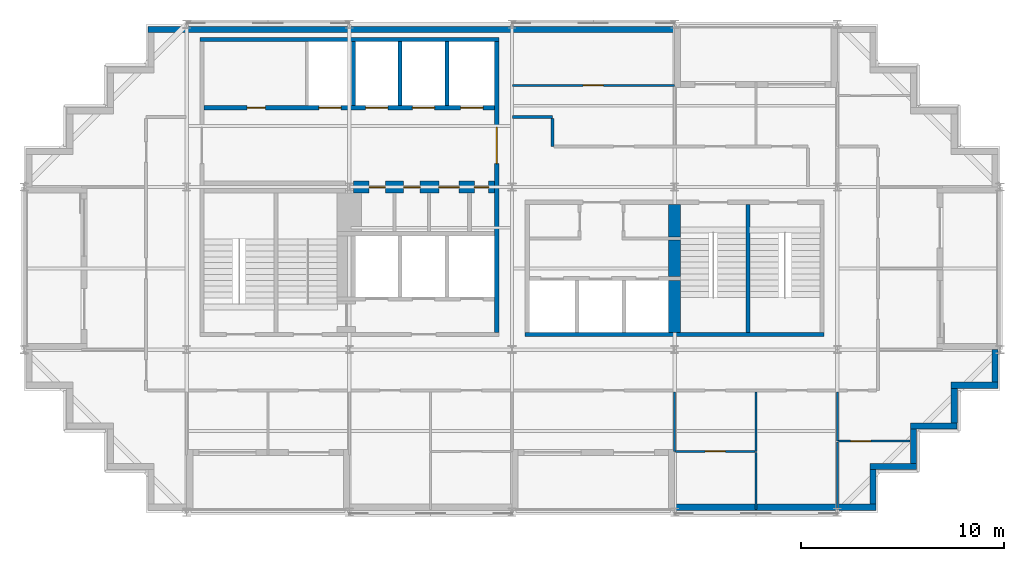
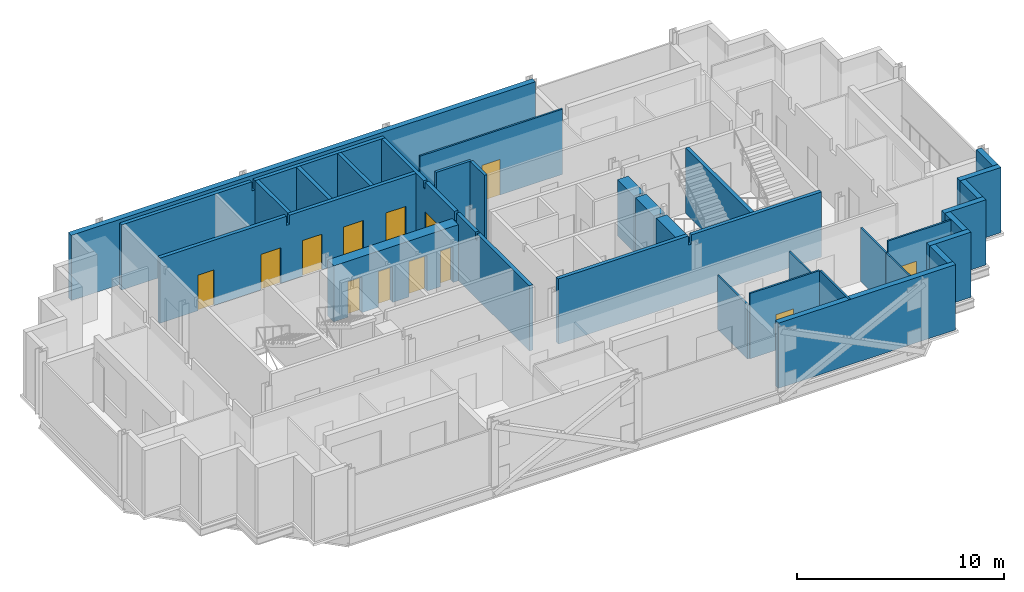
# One storey, part 6 of 9: 31 walls, 13 doors, 13 openings.
"""IFC4 building model written with IfcOpenShell, lengths in metres."""

from ifc_helpers import new_model, si_unit, direction, frame, frame_2d, origin, place, context, subcontext, project, spatial, polyline, rectangle, outline, extrude, material, layer, layer_set, type_object, element, fill, save


model = new_model("IFC4")

# Units and contexts
model_context = context("Model", 3, precision=1e-05, world=origin(), true_north=direction((0.0, 1.0)))
body_context = subcontext(model_context, "Body", "Model", "MODEL_VIEW")
ifc_project = project(units=[si_unit("LENGTHUNIT", "METRE"), si_unit("AREAUNIT", "SQUARE_METRE"), si_unit("VOLUMEUNIT", "CUBIC_METRE"), si_unit("PLANEANGLEUNIT", "RADIAN"), si_unit("MASSUNIT", "GRAM", prefix="KILO")], contexts=[model_context])

# Site, building, storey
site_placement = place(None, origin())
site = spatial("IfcSite", under=ifc_project, at=site_placement, CompositionType="ELEMENT")
building_placement = place(site_placement, origin())
building = spatial("IfcBuilding", under=site, at=building_placement, Name="Immortelle Media Tower", CompositionType="ELEMENT")
storey_placement = place(building_placement, frame((0.0, 0.0, 225.0)))
storey = spatial("IfcBuildingStorey", under=building, at=storey_placement, Name="L48", CompositionType="ELEMENT", Elevation=225.0)

# Wall, openings, doors
ifc_material_1 = material(Name="Fire-rated masonry blockwork", Category="masonry")
ifc_layer_1 = layer(ifc_material_1, 0.60009765625)
ifc_layer_set_1 = layer_set([ifc_layer_1], Name="Fire-rated masonry blockwork")
wall_type_1 = type_object("IfcWallType", Name="Core grid-line wall 600", PredefinedType="PARTITIONING", material=ifc_layer_set_1)
wall_1_placement = place(storey_placement, frame((16.196533203125, 16.0, 0.0), z_axis=(0.0, 0.0, 1.0), x_axis=(1.0, 0.0, 0.0)))
wall_1 = element("IfcWall", 1, at=wall_1_placement, inside=storey, type_object=wall_type_1, Name="Core grid-line wall SW", PredefinedType="PARTITIONING", context=body_context, shape_type="SweptSolid", body=[
    extrude(rectangle(XDim=6.953369140625, YDim=0.60009765625, at=frame_2d((3.4765625, 0.0))), origin(), (0.0, 0.0, 1.0), 3.30810546875),
])
opening_1_placement = place(wall_1_placement, frame((1.57861328125, 0.0, 0.0), z_axis=(0.0, 0.0, 1.0), x_axis=(-1.0, 0.0, 0.0)))
opening_1 = element("IfcOpeningElement", 2, at=opening_1_placement, cuts=wall_1, Name="Opening O5-K009", PredefinedType="OPENING", context=body_context, shape_type="SweptSolid", body=[
    extrude(rectangle(XDim=0.800048828125, YDim=2.10009765625, at=frame_2d((0.39990234375, 1.050048828125))), frame((0.0, 0.31005859375, 0.0), z_axis=(0.0, -1.0, 0.0), x_axis=(1.0, 0.0, 0.0)), (0.0, 0.0, 1.0), 0.6201171875),
])
opening_2_placement = place(wall_1_placement, frame((3.278564453125, 0.0, 0.0), z_axis=(0.0, 0.0, 1.0), x_axis=(-1.0, 0.0, 0.0)))
opening_2 = element("IfcOpeningElement", 3, at=opening_2_placement, cuts=wall_1, Name="Opening O5-K010", PredefinedType="OPENING", context=body_context, shape_type="SweptSolid", body=[
    extrude(rectangle(XDim=0.800048828125, YDim=2.10009765625, at=frame_2d((0.39990234375, 1.050048828125))), frame((0.0, 0.31005859375, 0.0), z_axis=(0.0, -1.0, 0.0), x_axis=(1.0, 0.0, 0.0)), (0.0, 0.0, 1.0), 0.6201171875),
])
opening_3_placement = place(wall_1_placement, frame((5.20361328125, 0.0, 0.0), z_axis=(0.0, 0.0, 1.0), x_axis=(-1.0, 0.0, 0.0)))
opening_3 = element("IfcOpeningElement", 4, at=opening_3_placement, cuts=wall_1, Name="Opening O5-K014", PredefinedType="OPENING", context=body_context, shape_type="SweptSolid", body=[
    extrude(rectangle(XDim=1.0, YDim=2.10009765625, at=frame_2d((0.5, 1.050048828125))), frame((0.0, 0.31005859375, 0.0), z_axis=(0.0, -1.0, 0.0), x_axis=(1.0, 0.0, 0.0)), (0.0, 0.0, 1.0), 0.6201171875),
])
opening_4_placement = place(wall_1_placement, frame((6.653564453125, 0.0, 0.0), z_axis=(0.0, 0.0, 1.0), x_axis=(-1.0, 0.0, 0.0)))
opening_4 = element("IfcOpeningElement", 5, at=opening_4_placement, cuts=wall_1, Name="Opening O5-K017", PredefinedType="OPENING", context=body_context, shape_type="SweptSolid", body=[
    extrude(rectangle(XDim=0.699951171875, YDim=2.10009765625, at=frame_2d((0.35009765625, 1.050048828125))), frame((0.0, 0.31005859375, 0.0), z_axis=(0.0, -1.0, 0.0), x_axis=(1.0, 0.0, 0.0)), (0.0, 0.0, 1.0), 0.6201171875),
])
ifc_material_2 = material(Name="Timber", Category="wood")
door_type_1 = type_object("IfcDoorType", Name="Accessible toilet door 1000 x 2100", OperationType="NOTDEFINED", PredefinedType="NOTDEFINED", material=ifc_material_2)
door_1_placement = place(opening_3_placement, origin())
door_1 = element("IfcDoor", 6, at=door_1_placement, inside=storey, type_object=door_type_1, Name="Accessible toilet O5-K014", OperationType="SINGLE_SWING_LEFT", OverallHeight=2.10009765625, OverallWidth=1.0, PredefinedType="NOTDEFINED", context=body_context, shape_type="SweptSolid", body=[
    extrude(rectangle(XDim=1.0, YDim=2.10009765625, at=frame_2d((0.5, 1.050048828125))), frame((0.0, 0.02490234375, 0.0), z_axis=(0.0, -1.0, 0.0), x_axis=(1.0, 0.0, 0.0)), (0.0, 0.0, 1.0), 0.050048828125),
])
fill(opening_3, door_1)
ifc_material_3 = material(Name="Galvanised steel door leaf and frame ASTM A653", Category="steel")
door_type_2 = type_object("IfcDoorType", Name="Service door 700 x 2100", OperationType="NOTDEFINED", PredefinedType="NOTDEFINED", material=ifc_material_3)
door_2_placement = place(opening_4_placement, origin())
door_2 = element("IfcDoor", 7, at=door_2_placement, inside=storey, type_object=door_type_2, Name="Service O5-K017", OperationType="SINGLE_SWING_RIGHT", OverallHeight=2.10009765625, OverallWidth=0.699951171875, PredefinedType="NOTDEFINED", context=body_context, shape_type="SweptSolid", body=[
    extrude(rectangle(XDim=0.699951171875, YDim=2.10009765625, at=frame_2d((0.35009765625, 1.050048828125))), frame((0.0, 0.02490234375, 0.0), z_axis=(0.0, -1.0, 0.0), x_axis=(1.0, 0.0, 0.0)), (0.0, 0.0, 1.0), 0.050048828125),
])
fill(opening_4, door_2)
door_type_3 = type_object("IfcDoorType", Name="Toilet door 800 x 2100", OperationType="NOTDEFINED", PredefinedType="NOTDEFINED", material=ifc_material_2)
door_3_placement = place(opening_1_placement, origin())
door_3 = element("IfcDoor", 8, at=door_3_placement, inside=storey, type_object=door_type_3, Name="Toilet O5-K009", OperationType="SINGLE_SWING_LEFT", OverallHeight=2.10009765625, OverallWidth=0.800048828125, PredefinedType="NOTDEFINED", context=body_context, shape_type="SweptSolid", body=[
    extrude(rectangle(XDim=0.800048828125, YDim=2.10009765625, at=frame_2d((0.39990234375, 1.050048828125))), frame((0.0, 0.02490234375, 0.0), z_axis=(0.0, -1.0, 0.0), x_axis=(1.0, 0.0, 0.0)), (0.0, 0.0, 1.0), 0.050048828125),
])
fill(opening_1, door_3)
door_4_placement = place(opening_2_placement, origin())
door_4 = element("IfcDoor", 9, at=door_4_placement, inside=storey, type_object=door_type_3, Name="Toilet O5-K010", OperationType="SINGLE_SWING_RIGHT", OverallHeight=2.10009765625, OverallWidth=0.800048828125, PredefinedType="NOTDEFINED", context=body_context, shape_type="SweptSolid", body=[
    extrude(rectangle(XDim=0.800048828125, YDim=2.10009765625, at=frame_2d((0.39990234375, 1.050048828125))), frame((0.0, 0.02490234375, 0.0), z_axis=(0.0, -1.0, 0.0), x_axis=(1.0, 0.0, 0.0)), (0.0, 0.0, 1.0), 0.050048828125),
])
fill(opening_2, door_4)

# Wall
ifc_material_4 = material(Name="Fire-rated gypsum board", Category="gypsum")
ifc_layer_2 = layer(ifc_material_4, 0.03759765625)
ifc_material_5 = material(Name="Steel ASTM A653 SS Gr 50 stud frame with mineral wool", Category="steel")
ifc_layer_3 = layer(ifc_material_5, 0.125)
ifc_layer_4 = layer(ifc_material_4, 0.03759765625)
ifc_layer_set_2 = layer_set([ifc_layer_2, ifc_layer_3, ifc_layer_4], Name="Steel ASTM A653 SS Gr 50 stud frame with mineral wool")
wall_type_2 = type_object("IfcWallType", Name="Core shaft wall 200", PredefinedType="PARTITIONING", material=ifc_layer_set_2)
wall_2_placement = place(storey_placement, frame((8.64990234375, 23.25, 0.0), z_axis=(0.0, 0.0, 1.0), x_axis=(1.0, 0.0, 0.0)))
element("IfcWall", 10, at=wall_2_placement, inside=storey, type_object=wall_type_2, Name="Core shaft wall SW", PredefinedType="PARTITIONING", context=body_context, shape_type="SweptSolid", body=[
    extrude(outline(polyline([(0.0, 0.0), (14.7001953125, 0.0), (14.699951171875, 3.85009765625), (7.4384765625, 3.85009765625), (7.4375, 3.30810546875), (7.262451171875, 3.30810546875), (7.261474609375, 3.85009765625), (0.0, 3.85009765625), (0.0, 0.0)])), frame((0.0, 0.10009765625, 0.0), z_axis=(0.0, -1.0, 0.0), x_axis=(1.0, 0.0, 0.0)), (0.0, 0.0, 1.0), 0.199951171875),
])

# Wall, openings, doors
wall_3_placement = place(storey_placement, frame((8.85009765625, 19.89990234375, 0.0), z_axis=(0.0, 0.0, 1.0), x_axis=(1.0, 0.0, 0.0)))
wall_3 = element("IfcWall", 11, at=wall_3_placement, inside=storey, type_object=wall_type_2, Name="Core shaft wall SW", PredefinedType="PARTITIONING", context=body_context, shape_type="SweptSolid", body=[
    extrude(outline(polyline([(0.0, 0.0), (14.2998046875, 0.0), (14.300048828125, 3.85009765625), (7.238525390625, 3.85009765625), (7.237548828125, 3.30810546875), (7.0625, 3.30810546875), (7.0615234375, 3.85009765625), (0.0, 3.85009765625), (0.0, 0.0)])), frame((0.0, 0.10009765625, 0.0), z_axis=(0.0, -1.0, 0.0), x_axis=(1.0, 0.0, 0.0)), (0.0, 0.0, 1.0), 0.199951171875),
])
opening_5_placement = place(wall_3_placement, frame((2.125, 0.0, 0.0)))
opening_5 = element("IfcOpeningElement", 12, at=opening_5_placement, cuts=wall_3, Name="Opening O5-K003", PredefinedType="OPENING", context=body_context, shape_type="SweptSolid", body=[
    extrude(rectangle(XDim=0.89990234375, YDim=2.10009765625, at=frame_2d((0.449951171875, 1.050048828125))), frame((0.0, 0.10986328125, 0.0), z_axis=(0.0, -1.0, 0.0), x_axis=(1.0, 0.0, 0.0)), (0.0, 0.0, 1.0), 0.219970703125),
])
opening_6_placement = place(wall_3_placement, frame((5.64990234375, 0.0, 0.0)))
opening_6 = element("IfcOpeningElement", 13, at=opening_6_placement, cuts=wall_3, Name="Opening LD", PredefinedType="OPENING", context=body_context, shape_type="SweptSolid", body=[
    extrude(rectangle(XDim=1.10009765625, YDim=2.10009765625, at=frame_2d((0.550048828125, 1.050048828125))), frame((0.0, 0.10986328125, 0.0), z_axis=(0.0, -1.0, 0.0), x_axis=(1.0, 0.0, 0.0)), (0.0, 0.0, 1.0), 0.219970703125),
])
opening_7_placement = place(wall_3_placement, frame((7.949951171875, 0.0, 0.0)))
opening_7 = element("IfcOpeningElement", 14, at=opening_7_placement, cuts=wall_3, Name="Opening LD", PredefinedType="OPENING", context=body_context, shape_type="SweptSolid", body=[
    extrude(rectangle(XDim=1.10009765625, YDim=2.10009765625, at=frame_2d((0.550048828125, 1.050048828125))), frame((0.0, 0.10986328125, 0.0), z_axis=(0.0, -1.0, 0.0), x_axis=(1.0, 0.0, 0.0)), (0.0, 0.0, 1.0), 0.219970703125),
])
opening_8_placement = place(wall_3_placement, frame((10.25, 0.0, 0.0)))
opening_8 = element("IfcOpeningElement", 15, at=opening_8_placement, cuts=wall_3, Name="Opening LD", PredefinedType="OPENING", context=body_context, shape_type="SweptSolid", body=[
    extrude(rectangle(XDim=1.10009765625, YDim=2.10009765625, at=frame_2d((0.550048828125, 1.050048828125))), frame((0.0, 0.10986328125, 0.0), z_axis=(0.0, -1.0, 0.0), x_axis=(1.0, 0.0, 0.0)), (0.0, 0.0, 1.0), 0.219970703125),
])
opening_9_placement = place(wall_3_placement, frame((12.625, 0.0, 0.0)))
opening_9 = element("IfcOpeningElement", 16, at=opening_9_placement, cuts=wall_3, Name="Opening LD", PredefinedType="OPENING", context=body_context, shape_type="SweptSolid", body=[
    extrude(rectangle(XDim=1.10009765625, YDim=2.10009765625, at=frame_2d((0.550048828125, 1.050048828125))), frame((0.0, 0.10986328125, 0.0), z_axis=(0.0, -1.0, 0.0), x_axis=(1.0, 0.0, 0.0)), (0.0, 0.0, 1.0), 0.219970703125),
])
ifc_material_6 = material(Name="Stainless steel AISI 304", Category="steel")
door_type_4 = type_object("IfcDoorType", Name="Landing door 1100 x 2100", OperationType="SLIDING_TO_LEFT", PredefinedType="NOTDEFINED", material=ifc_material_6)
door_5_placement = place(opening_6_placement, origin())
door_5 = element("IfcDoor", 17, at=door_5_placement, inside=storey, type_object=door_type_4, Name="Landing door HR1 L48", OperationType="SLIDING_TO_LEFT", OverallHeight=2.10009765625, OverallWidth=1.10009765625, PredefinedType="NOTDEFINED", context=body_context, shape_type="SweptSolid", body=[
    extrude(rectangle(XDim=1.10009765625, YDim=2.10009765625, at=frame_2d((0.550048828125, 1.050048828125))), frame((0.0, 0.02490234375, 0.0), z_axis=(0.0, -1.0, 0.0), x_axis=(1.0, 0.0, 0.0)), (0.0, 0.0, 1.0), 0.050048828125),
])
fill(opening_6, door_5)
door_6_placement = place(opening_7_placement, origin())
door_6 = element("IfcDoor", 18, at=door_6_placement, inside=storey, type_object=door_type_4, Name="Landing door HR2 L48", OperationType="SLIDING_TO_LEFT", OverallHeight=2.10009765625, OverallWidth=1.10009765625, PredefinedType="NOTDEFINED", context=body_context, shape_type="SweptSolid", body=[
    extrude(rectangle(XDim=1.10009765625, YDim=2.10009765625, at=frame_2d((0.550048828125, 1.050048828125))), frame((0.0, 0.02490234375, 0.0), z_axis=(0.0, -1.0, 0.0), x_axis=(1.0, 0.0, 0.0)), (0.0, 0.0, 1.0), 0.050048828125),
])
fill(opening_7, door_6)
door_7_placement = place(opening_8_placement, origin())
door_7 = element("IfcDoor", 19, at=door_7_placement, inside=storey, type_object=door_type_4, Name="Landing door HR3 L48", OperationType="SLIDING_TO_LEFT", OverallHeight=2.10009765625, OverallWidth=1.10009765625, PredefinedType="NOTDEFINED", context=body_context, shape_type="SweptSolid", body=[
    extrude(rectangle(XDim=1.10009765625, YDim=2.10009765625, at=frame_2d((0.550048828125, 1.050048828125))), frame((0.0, 0.02490234375, 0.0), z_axis=(0.0, -1.0, 0.0), x_axis=(1.0, 0.0, 0.0)), (0.0, 0.0, 1.0), 0.050048828125),
])
fill(opening_8, door_7)
door_8_placement = place(opening_9_placement, origin())
door_8 = element("IfcDoor", 20, at=door_8_placement, inside=storey, type_object=door_type_4, Name="Landing door HR4 L48", OperationType="SLIDING_TO_LEFT", OverallHeight=2.10009765625, OverallWidth=1.10009765625, PredefinedType="NOTDEFINED", context=body_context, shape_type="SweptSolid", body=[
    extrude(rectangle(XDim=1.10009765625, YDim=2.10009765625, at=frame_2d((0.550048828125, 1.050048828125))), frame((0.0, 0.02490234375, 0.0), z_axis=(0.0, -1.0, 0.0), x_axis=(1.0, 0.0, 0.0)), (0.0, 0.0, 1.0), 0.050048828125),
])
fill(opening_9, door_8)
door_type_5 = type_object("IfcDoorType", Name="Room door 900 x 2100", OperationType="NOTDEFINED", PredefinedType="NOTDEFINED", material=ifc_material_2)
door_9_placement = place(opening_5_placement, origin())
door_9 = element("IfcDoor", 21, at=door_9_placement, inside=storey, type_object=door_type_5, Name="Room O5-K003", OperationType="SINGLE_SWING_LEFT", OverallHeight=2.10009765625, OverallWidth=0.89990234375, PredefinedType="NOTDEFINED", context=body_context, shape_type="SweptSolid", body=[
    extrude(rectangle(XDim=0.89990234375, YDim=2.10009765625, at=frame_2d((0.449951171875, 1.050048828125))), frame((0.0, 0.02490234375, 0.0), z_axis=(0.0, -1.0, 0.0), x_axis=(1.0, 0.0, 0.0)), (0.0, 0.0, 1.0), 0.050048828125),
])
fill(opening_5, door_9)

# Walls
for number, where, z_axis, x_axis, name in (
    (22, (16.199951171875, 20.0, 0.0), (0.0, 0.0, 1.0), (0.0, 1.0, 0.0), "Core shaft wall SW"),
    (23, (18.5, 20.0, 0.0), (0.0, 0.0, 1.0), (0.0, 1.0, 0.0), "Core shaft wall SW"),
    (24, (20.800048828125, 20.0, 0.0), (0.0, 0.0, 1.0), (0.0, 1.0, 0.0), "Core shaft wall SW"),
):
    element("IfcWall", number, at=place(storey_placement, frame(where, z_axis=z_axis, x_axis=x_axis)), inside=storey, type_object=wall_type_2, Name=name, PredefinedType="PARTITIONING", context=body_context, shape_type="SweptSolid", body=[
        extrude(rectangle(XDim=3.14990234375, YDim=0.199951171875, at=frame_2d((1.574951171875, 0.0))), origin(), (0.0, 0.0, 1.0), 3.85009765625),
    ])

# Wall, opening, door
wall_4_placement = place(storey_placement, frame((23.25, 8.85009765625, 0.0), z_axis=(0.0, 0.0, 1.0), x_axis=(0.0, 1.0, 0.0)))
wall_4 = element("IfcWall", 25, at=wall_4_placement, inside=storey, type_object=wall_type_2, Name="Core shaft wall SW", PredefinedType="PARTITIONING", context=body_context, shape_type="SweptSolid", body=[
    extrude(outline(polyline([(0.0, 0.0), (14.2998046875, 0.0), (14.300048828125, 3.85009765625), (10.22509765625, 3.85009765625), (10.22412109375, 3.43994140625), (10.075927734375, 3.43994140625), (10.074951171875, 3.85009765625), (7.238525390625, 3.85009765625), (7.237548828125, 3.30810546875), (7.0625, 3.30810546875), (7.0615234375, 3.85009765625), (5.22509765625, 3.85009765625), (5.22412109375, 3.43994140625), (5.075927734375, 3.43994140625), (5.074951171875, 3.85009765625), (0.0, 3.85009765625), (0.0, 0.0)])), frame((0.0, 0.10009765625, 0.0), z_axis=(0.0, -1.0, 0.0), x_axis=(1.0, 0.0, 0.0)), (0.0, 0.0, 1.0), 0.199951171875),
])
opening_10_placement = place(wall_4_placement, frame((8.300048828125, 0.0, 0.0)))
opening_10 = element("IfcOpeningElement", 26, at=opening_10_placement, cuts=wall_4, Name="Opening O5-K018", PredefinedType="OPENING", context=body_context, shape_type="SweptSolid", body=[
    extrude(rectangle(XDim=1.800048828125, YDim=2.10009765625, at=frame_2d((0.89990234375, 1.050048828125))), frame((0.0, 0.10986328125, 0.0), z_axis=(0.0, -1.0, 0.0), x_axis=(1.0, 0.0, 0.0)), (0.0, 0.0, 1.0), 0.219970703125),
])
door_type_6 = type_object("IfcDoorType", Name="Lift lobby door 1800 x 2100", OperationType="DOUBLE_DOOR_SINGLE_SWING", PredefinedType="NOTDEFINED", material=ifc_material_3)
door_10_placement = place(opening_10_placement, origin())
door_10 = element("IfcDoor", 27, at=door_10_placement, inside=storey, type_object=door_type_6, Name="Lift lobby O5-K018", OperationType="DOUBLE_DOOR_SINGLE_SWING", OverallHeight=2.10009765625, OverallWidth=1.800048828125, PredefinedType="NOTDEFINED", context=body_context, shape_type="SweptSolid", body=[
    extrude(rectangle(XDim=1.800048828125, YDim=2.10009765625, at=frame_2d((0.89990234375, 1.050048828125))), frame((0.0, 0.02490234375, 0.0), z_axis=(0.0, -1.0, 0.0), x_axis=(1.0, 0.0, 0.0)), (0.0, 0.0, 1.0), 0.050048828125),
])
fill(opening_10, door_10)

# Walls
ifc_layer_5 = layer(ifc_material_4, 0.012451171875)
ifc_layer_6 = layer(ifc_material_5, 0.125)
ifc_layer_7 = layer(ifc_material_4, 0.012451171875)
ifc_layer_set_3 = layer_set([ifc_layer_5, ifc_layer_6, ifc_layer_7], Name="Steel ASTM A653 SS Gr 50 stud frame with mineral wool")
wall_type_3 = type_object("IfcWallType", Name="Corridor wall 150", PredefinedType="PARTITIONING", material=ifc_layer_set_3)
wall_5_placement = place(storey_placement, frame((26.0, 18.0, 0.0), z_axis=(0.0, 0.0, 1.0), x_axis=(0.0, 1.0, 0.0)))
element("IfcWall", 28, at=wall_5_placement, inside=storey, type_object=wall_type_3, Name="Partition L48-026", PredefinedType="PARTITIONING", context=body_context, shape_type="SweptSolid", body=[
    extrude(rectangle(XDim=1.375, YDim=0.14990234375, at=frame_2d((0.6875, 0.0))), origin(), (0.0, 0.0, 1.0), 3.85009765625),
])
wall_6_placement = place(storey_placement, frame((24.030029296875, 19.449951171875, 0.0), z_axis=(0.0, 0.0, 1.0), x_axis=(1.0, 0.0, 0.0)))
element("IfcWall", 29, at=wall_6_placement, inside=storey, type_object=wall_type_3, Name="Partition L48-032", PredefinedType="PARTITIONING", context=body_context, shape_type="SweptSolid", body=[
    extrude(rectangle(XDim=1.969970703125, YDim=0.14990234375, at=frame_2d((0.98486328125, 0.0))), origin(), (0.0, 0.0, 1.0), 3.85009765625),
])
ifc_material_7 = material(Name="Pale aluminium cladding panel", Category="aluminium")
ifc_layer_8 = layer(ifc_material_7, 0.030029296875)
ifc_layer_9 = layer(ifc_material_5, 0.257568359375)
ifc_material_8 = material(Name="Moisture-resistant gypsum board", Category="gypsum")
ifc_layer_10 = layer(ifc_material_8, 0.012451171875)
ifc_layer_set_4 = layer_set([ifc_layer_8, ifc_layer_9, ifc_layer_10], Name="Steel ASTM A653 SS Gr 50 stud frame with mineral wool")
wall_type_4 = type_object("IfcWallType", Name="Facade wall 300", PredefinedType="SOLIDWALL", material=ifc_layer_set_4)
wall_7_placement = place(storey_placement, frame((32.0, 0.25, 0.0), z_axis=(0.0, 0.0, 1.0), x_axis=(1.0, 0.0, 0.0)))
element("IfcWall", 30, at=wall_7_placement, inside=storey, type_object=wall_type_4, Name="Facade wall L48 S6", PredefinedType="SOLIDWALL", context=body_context, shape_type="SweptSolid", body=[
    extrude(rectangle(XDim=9.89990234375, YDim=0.300048828125, at=frame_2d((4.949951171875, 0.0))), origin(), (0.0, 0.0, 1.0), 3.85009765625),
])
wall_8_placement = place(storey_placement, frame((41.75, 0.39990234375, 0.0), z_axis=(0.0, 0.0, 1.0), x_axis=(0.0, 1.0, 0.0)))
element("IfcWall", 31, at=wall_8_placement, inside=storey, type_object=wall_type_4, Name="Facade wall L48 E7", PredefinedType="SOLIDWALL", context=body_context, shape_type="SweptSolid", body=[
    extrude(rectangle(XDim=1.7001953125, YDim=0.300048828125, at=frame_2d((0.85009765625, 0.0))), origin(), (0.0, 0.0, 1.0), 3.85009765625),
])
wall_9_placement = place(storey_placement, frame((41.60009765625, 2.25, 0.0), z_axis=(0.0, 0.0, 1.0), x_axis=(1.0, 0.0, 0.0)))
element("IfcWall", 32, at=wall_9_placement, inside=storey, type_object=wall_type_4, Name="Facade wall L48 S8", PredefinedType="SOLIDWALL", context=body_context, shape_type="SweptSolid", body=[
    extrude(rectangle(XDim=2.2998046875, YDim=0.300048828125, at=frame_2d((1.14990234375, 0.0))), origin(), (0.0, 0.0, 1.0), 3.85009765625),
])
wall_10_placement = place(storey_placement, frame((43.75, 2.39990234375, 0.0), z_axis=(0.0, 0.0, 1.0), x_axis=(0.0, 1.0, 0.0)))
element("IfcWall", 33, at=wall_10_placement, inside=storey, type_object=wall_type_4, Name="Facade wall L48 E9", PredefinedType="SOLIDWALL", context=body_context, shape_type="SweptSolid", body=[
    extrude(rectangle(XDim=1.7001953125, YDim=0.300048828125, at=frame_2d((0.85009765625, 0.0))), origin(), (0.0, 0.0, 1.0), 3.85009765625),
])
wall_11_placement = place(storey_placement, frame((43.60009765625, 4.25, 0.0), z_axis=(0.0, 0.0, 1.0), x_axis=(1.0, 0.0, 0.0)))
element("IfcWall", 34, at=wall_11_placement, inside=storey, type_object=wall_type_4, Name="Facade wall L48 S10", PredefinedType="SOLIDWALL", context=body_context, shape_type="SweptSolid", body=[
    extrude(rectangle(XDim=2.2998046875, YDim=0.300048828125, at=frame_2d((1.14990234375, 0.0))), origin(), (0.0, 0.0, 1.0), 3.85009765625),
])
wall_12_placement = place(storey_placement, frame((45.75, 4.39990234375, 0.0), z_axis=(0.0, 0.0, 1.0), x_axis=(0.0, 1.0, 0.0)))
element("IfcWall", 35, at=wall_12_placement, inside=storey, type_object=wall_type_4, Name="Facade wall L48 E11", PredefinedType="SOLIDWALL", context=body_context, shape_type="SweptSolid", body=[
    extrude(rectangle(XDim=1.7001953125, YDim=0.300048828125, at=frame_2d((0.85009765625, 0.0))), origin(), (0.0, 0.0, 1.0), 3.85009765625),
])
wall_13_placement = place(storey_placement, frame((45.60009765625, 6.25, 0.0), z_axis=(0.0, 0.0, 1.0), x_axis=(1.0, 0.0, 0.0)))
element("IfcWall", 36, at=wall_13_placement, inside=storey, type_object=wall_type_4, Name="Facade wall L48 S12", PredefinedType="SOLIDWALL", context=body_context, shape_type="SweptSolid", body=[
    extrude(rectangle(XDim=2.2998046875, YDim=0.300048828125, at=frame_2d((1.14990234375, 0.0))), origin(), (0.0, 0.0, 1.0), 3.85009765625),
])
wall_14_placement = place(storey_placement, frame((47.75, 6.39990234375, 0.0), z_axis=(0.0, 0.0, 1.0), x_axis=(0.0, 1.0, 0.0)))
element("IfcWall", 37, at=wall_14_placement, inside=storey, type_object=wall_type_4, Name="Facade wall L48 E13", PredefinedType="SOLIDWALL", context=body_context, shape_type="SweptSolid", body=[
    extrude(rectangle(XDim=1.60009765625, YDim=0.300048828125, at=frame_2d((0.800048828125, 0.0))), origin(), (0.0, 0.0, 1.0), 3.85009765625),
])
wall_15_placement = place(storey_placement, frame((32.0, 23.75, 0.0), z_axis=(0.0, 0.0, 1.0), x_axis=(-1.0, 0.0, 0.0)))
element("IfcWall", 38, at=wall_15_placement, inside=storey, type_object=wall_type_4, Name="Facade wall L48 N20", PredefinedType="SOLIDWALL", context=body_context, shape_type="SweptSolid", body=[
    extrude(rectangle(XDim=25.89990234375, YDim=0.300048828125, at=frame_2d((12.949951171875, 0.0))), origin(), (0.0, 0.0, 1.0), 3.85009765625),
])
ifc_material_9 = material(Name="Gypsum board", Category="gypsum")
ifc_layer_11 = layer(ifc_material_9, 0.012451171875)
ifc_layer_12 = layer(ifc_material_5, 0.074951171875)
ifc_layer_13 = layer(ifc_material_9, 0.012451171875)
ifc_layer_set_5 = layer_set([ifc_layer_11, ifc_layer_12, ifc_layer_13], Name="Steel ASTM A653 SS Gr 50 stud frame with mineral wool")
wall_type_5 = type_object("IfcWallType", Name="Partition 100", PredefinedType="PARTITIONING", material=ifc_layer_set_5)
wall_16_placement = place(storey_placement, frame((36.0, 0.1298828125, 0.0), z_axis=(0.0, 0.0, 1.0), x_axis=(0.0, 1.0, 0.0)))
element("IfcWall", 39, at=wall_16_placement, inside=storey, type_object=wall_type_5, Name="Partition L48-002", PredefinedType="PARTITIONING", context=body_context, shape_type="SweptSolid", body=[
    extrude(rectangle(XDim=2.820068359375, YDim=0.10009765625, at=frame_2d((1.41015625, 0.0))), origin(), (0.0, 0.0, 1.0), 3.85009765625),
])
wall_17_placement = place(storey_placement, frame((40.0, 0.1298828125, 0.0), z_axis=(0.0, 0.0, 1.0), x_axis=(0.0, 1.0, 0.0)))
element("IfcWall", 40, at=wall_17_placement, inside=storey, type_object=wall_type_5, Name="Partition L48-003", PredefinedType="PARTITIONING", context=body_context, shape_type="SweptSolid", body=[
    extrude(rectangle(XDim=3.320068359375, YDim=0.10009765625, at=frame_2d((1.66015625, 0.0))), origin(), (0.0, 0.0, 1.0), 3.172119140625),
])

# Wall, opening, door
wall_18_placement = place(storey_placement, frame((32.050048828125, 3.0, 0.0), z_axis=(0.0, 0.0, 1.0), x_axis=(1.0, 0.0, 0.0)))
wall_18 = element("IfcWall", 41, at=wall_18_placement, inside=storey, type_object=wall_type_5, Name="Partition L48-010", PredefinedType="PARTITIONING", context=body_context, shape_type="SweptSolid", body=[
    extrude(rectangle(XDim=3.89990234375, YDim=0.10009765625, at=frame_2d((1.949951171875, 0.0))), origin(), (0.0, 0.0, 1.0), 3.85009765625),
])
opening_11_placement = place(wall_18_placement, frame((2.449951171875, 0.0, 0.0), z_axis=(0.0, 0.0, 1.0), x_axis=(-1.0, 0.0, 0.0)))
opening_11 = element("IfcOpeningElement", 42, at=opening_11_placement, cuts=wall_18, Name="Opening O5-F005", PredefinedType="OPENING", context=body_context, shape_type="SweptSolid", body=[
    extrude(rectangle(XDim=1.0, YDim=2.10009765625, at=frame_2d((0.5, 1.050048828125))), frame((0.0, 0.06005859375, 0.0), z_axis=(0.0, -1.0, 0.0), x_axis=(1.0, 0.0, 0.0)), (0.0, 0.0, 1.0), 0.1201171875),
])
ifc_material_10 = material(Name="Timber veneered door leaf, galvanised steel frame ASTM A653", Category="steel")
door_type_7 = type_object("IfcDoorType", Name="Room door 1000 x 2100", OperationType="NOTDEFINED", PredefinedType="DOOR", material=ifc_material_10)
door_11_placement = place(opening_11_placement, origin())
door_11 = element("IfcDoor", 43, at=door_11_placement, inside=storey, type_object=door_type_7, Name="Door O5-F005", OperationType="SINGLE_SWING_LEFT", OverallHeight=2.10009765625, OverallWidth=1.0, PredefinedType="DOOR", context=body_context, shape_type="SweptSolid", body=[
    extrude(rectangle(XDim=1.0, YDim=2.10009765625, at=frame_2d((0.5, 1.050048828125))), frame((0.0, 0.02490234375, 0.0), z_axis=(0.0, -1.0, 0.0), x_axis=(1.0, 0.0, 0.0)), (0.0, 0.0, 1.0), 0.050048828125),
])
fill(opening_11, door_11)

# Walls
for number, where, z_axis, x_axis, name in (
    (44, (32.0, 3.0, 0.0), (0.0, 0.0, 1.0), (0.0, 1.0, 0.0), "Partition L48-011"),
    (45, (36.0, 3.0, 0.0), (0.0, 0.0, 1.0), (0.0, 1.0, 0.0), "Partition L48-012"),
):
    element("IfcWall", number, at=place(storey_placement, frame(where, z_axis=z_axis, x_axis=x_axis)), inside=storey, type_object=wall_type_5, Name=name, PredefinedType="PARTITIONING", context=body_context, shape_type="SweptSolid", body=[
        extrude(rectangle(XDim=2.925048828125, YDim=0.10009765625, at=frame_2d((1.46240234375, 0.0))), origin(), (0.0, 0.0, 1.0), 3.172119140625),
    ])

# Wall, opening, door
wall_19_placement = place(storey_placement, frame((40.050048828125, 3.5, 0.0), z_axis=(0.0, 0.0, 1.0), x_axis=(1.0, 0.0, 0.0)))
wall_19 = element("IfcWall", 46, at=wall_19_placement, inside=storey, type_object=wall_type_5, Name="Partition L48-013", PredefinedType="PARTITIONING", context=body_context, shape_type="SweptSolid", body=[
    extrude(rectangle(XDim=3.52001953125, YDim=0.10009765625, at=frame_2d((1.760009765625, 0.0))), origin(), (0.0, 0.0, 1.0), 3.85009765625),
])
opening_12_placement = place(wall_19_placement, frame((0.60009765625, 0.0, 0.0)))
opening_12 = element("IfcOpeningElement", 47, at=opening_12_placement, cuts=wall_19, Name="Opening O5-F012", PredefinedType="OPENING", context=body_context, shape_type="SweptSolid", body=[
    extrude(rectangle(XDim=1.0, YDim=2.10009765625, at=frame_2d((0.5, 1.050048828125))), frame((0.0, 0.06005859375, 0.0), z_axis=(0.0, -1.0, 0.0), x_axis=(1.0, 0.0, 0.0)), (0.0, 0.0, 1.0), 0.1201171875),
])
door_12_placement = place(opening_12_placement, origin())
door_12 = element("IfcDoor", 48, at=door_12_placement, inside=storey, type_object=door_type_7, Name="Door O5-F012", OperationType="SINGLE_SWING_LEFT", OverallHeight=2.10009765625, OverallWidth=1.0, PredefinedType="DOOR", context=body_context, shape_type="SweptSolid", body=[
    extrude(rectangle(XDim=1.0, YDim=2.10009765625, at=frame_2d((0.5, 1.050048828125))), frame((0.0, 0.02490234375, 0.0), z_axis=(0.0, -1.0, 0.0), x_axis=(1.0, 0.0, 0.0)), (0.0, 0.0, 1.0), 0.050048828125),
])
fill(opening_12, door_12)

# Wall
wall_20_placement = place(storey_placement, frame((40.0, 3.5, 0.0), z_axis=(0.0, 0.0, 1.0), x_axis=(0.0, 1.0, 0.0)))
element("IfcWall", 49, at=wall_20_placement, inside=storey, type_object=wall_type_5, Name="Partition L48-014", PredefinedType="PARTITIONING", context=body_context, shape_type="SweptSolid", body=[
    extrude(rectangle(XDim=2.425048828125, YDim=0.10009765625, at=frame_2d((1.21240234375, 0.0))), origin(), (0.0, 0.0, 1.0), 3.172119140625),
])

# Wall, opening, door
wall_21_placement = place(storey_placement, frame((24.030029296875, 21.0, 0.0), z_axis=(0.0, 0.0, 1.0), x_axis=(1.0, 0.0, 0.0)))
wall_21 = element("IfcWall", 50, at=wall_21_placement, inside=storey, type_object=wall_type_5, Name="Partition L48-035", PredefinedType="PARTITIONING", context=body_context, shape_type="SweptSolid", body=[
    extrude(rectangle(XDim=7.969970703125, YDim=0.10009765625, at=frame_2d((3.98486328125, 0.0))), origin(), (0.0, 0.0, 1.0), 3.85009765625),
])
opening_13_placement = place(wall_21_placement, frame((3.469970703125, 0.0, 0.0)))
opening_13 = element("IfcOpeningElement", 51, at=opening_13_placement, cuts=wall_21, Name="Opening O5-F022", PredefinedType="OPENING", context=body_context, shape_type="SweptSolid", body=[
    extrude(rectangle(XDim=1.0, YDim=2.10009765625, at=frame_2d((0.5, 1.050048828125))), frame((0.0, 0.06005859375, 0.0), z_axis=(0.0, -1.0, 0.0), x_axis=(1.0, 0.0, 0.0)), (0.0, 0.0, 1.0), 0.1201171875),
])
door_13_placement = place(opening_13_placement, origin())
door_13 = element("IfcDoor", 52, at=door_13_placement, inside=storey, type_object=door_type_7, Name="Door O5-F022", OperationType="SINGLE_SWING_RIGHT", OverallHeight=2.10009765625, OverallWidth=1.0, PredefinedType="DOOR", context=body_context, shape_type="SweptSolid", body=[
    extrude(rectangle(XDim=1.0, YDim=2.10009765625, at=frame_2d((0.5, 1.050048828125))), frame((0.0, 0.02490234375, 0.0), z_axis=(0.0, -1.0, 0.0), x_axis=(1.0, 0.0, 0.0)), (0.0, 0.0, 1.0), 0.050048828125),
])
fill(opening_13, door_13)

# Walls
ifc_material_11 = material(Name="Concrete C60", Category="concrete")
ifc_layer_14 = layer(ifc_material_11, 0.199951171875)
ifc_layer_set_6 = layer_set([ifc_layer_14], Name="Concrete C60")
wall_type_6 = type_object("IfcWallType", Name="Stair shaft wall 200", PredefinedType="PARTITIONING", material=ifc_layer_set_6)
wall_22_placement = place(storey_placement, frame((24.64990234375, 8.75, 0.0), z_axis=(0.0, 0.0, 1.0), x_axis=(1.0, 0.0, 0.0)))
element("IfcWall", 53, at=wall_22_placement, inside=storey, type_object=wall_type_6, Name="Stair shaft wall SE", PredefinedType="PARTITIONING", context=body_context, shape_type="SweptSolid", body=[
    extrude(outline(polyline([(0.0, 0.0), (14.7001953125, 0.0), (14.699951171875, 3.85009765625), (7.4384765625, 3.85009765625), (7.4375, 3.30810546875), (7.262451171875, 3.30810546875), (7.261474609375, 3.85009765625), (0.0, 3.85009765625), (0.0, 0.0)])), frame((0.0, 0.10009765625, 0.0), z_axis=(0.0, -1.0, 0.0), x_axis=(1.0, 0.0, 0.0)), (0.0, 0.0, 1.0), 0.199951171875),
])
wall_23_placement = place(storey_placement, frame((35.60009765625, 8.85009765625, 0.0), z_axis=(0.0, 0.0, 1.0), x_axis=(0.0, 1.0, 0.0)))
element("IfcWall", 54, at=wall_23_placement, inside=storey, type_object=wall_type_6, Name="Stair shaft wall SE", PredefinedType="PARTITIONING", context=body_context, shape_type="SweptSolid", body=[
    extrude(rectangle(XDim=6.2998046875, YDim=0.199951171875, at=frame_2d((3.14990234375, 0.0))), origin(), (0.0, 0.0, 1.0), 3.85009765625),
])
ifc_layer_15 = layer(ifc_material_11, 0.60009765625)
ifc_layer_set_7 = layer_set([ifc_layer_15], Name="Concrete C60")
wall_type_7 = type_object("IfcWallType", Name="Stair shaft wall 600", PredefinedType="PARTITIONING", material=ifc_layer_set_7)
wall_24_placement = place(storey_placement, frame((32.0, 8.85009765625, 0.0), z_axis=(0.0, 0.0, 1.0), x_axis=(0.0, 1.0, 0.0)))
element("IfcWall", 55, at=wall_24_placement, inside=storey, type_object=wall_type_7, Name="Stair shaft wall SE", PredefinedType="PARTITIONING", context=body_context, shape_type="SweptSolid", body=[
    extrude(rectangle(XDim=2.5498046875, YDim=0.60009765625, at=frame_2d((1.27490234375, 0.0))), origin(), (0.0, 0.0, 1.0), 3.30810546875),
])
wall_25_placement = place(storey_placement, frame((32.0, 11.60009765625, 0.0), z_axis=(0.0, 0.0, 1.0), x_axis=(0.0, 1.0, 0.0)))
element("IfcWall", 56, at=wall_25_placement, inside=storey, type_object=wall_type_7, Name="Stair shaft wall SE", PredefinedType="PARTITIONING", context=body_context, shape_type="SweptSolid", body=[
    extrude(rectangle(XDim=1.7998046875, YDim=0.60009765625, at=frame_2d((0.89990234375, 0.0))), origin(), (0.0, 0.0, 1.0), 3.30810546875),
])
wall_26_placement = place(storey_placement, frame((32.0, 13.550048828125, 0.0), z_axis=(0.0, 0.0, 1.0), x_axis=(0.0, 1.0, 0.0)))
element("IfcWall", 57, at=wall_26_placement, inside=storey, type_object=wall_type_7, Name="Stair shaft wall SE", PredefinedType="PARTITIONING", context=body_context, shape_type="SweptSolid", body=[
    extrude(rectangle(XDim=1.599853515625, YDim=0.60009765625, at=frame_2d((0.7998046875, 0.0))), origin(), (0.0, 0.0, 1.0), 3.30810546875),
])

save(model, "model.ifc")
